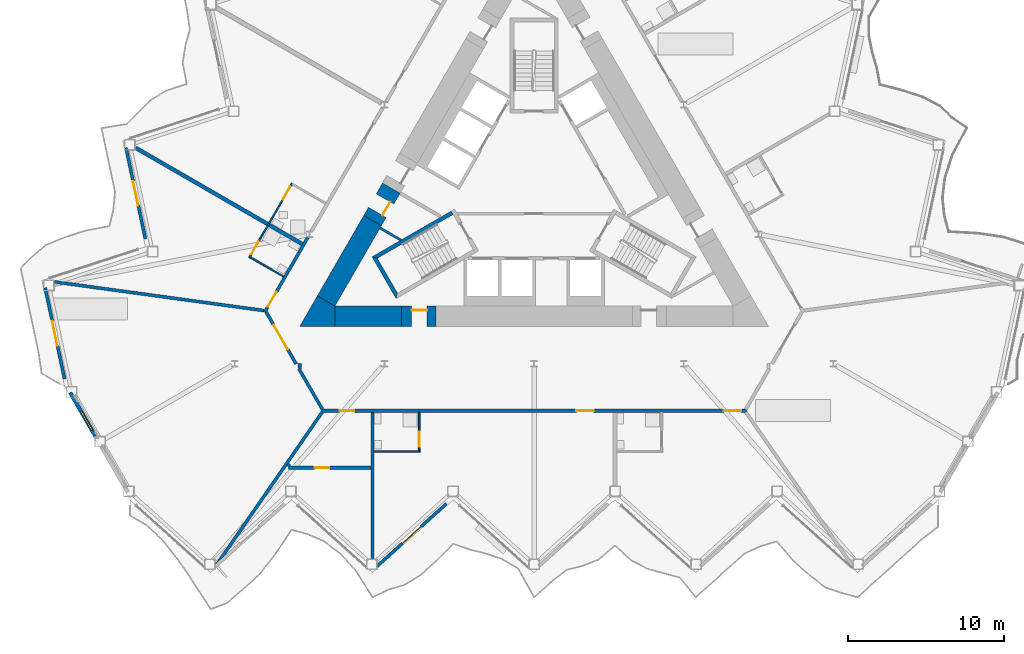
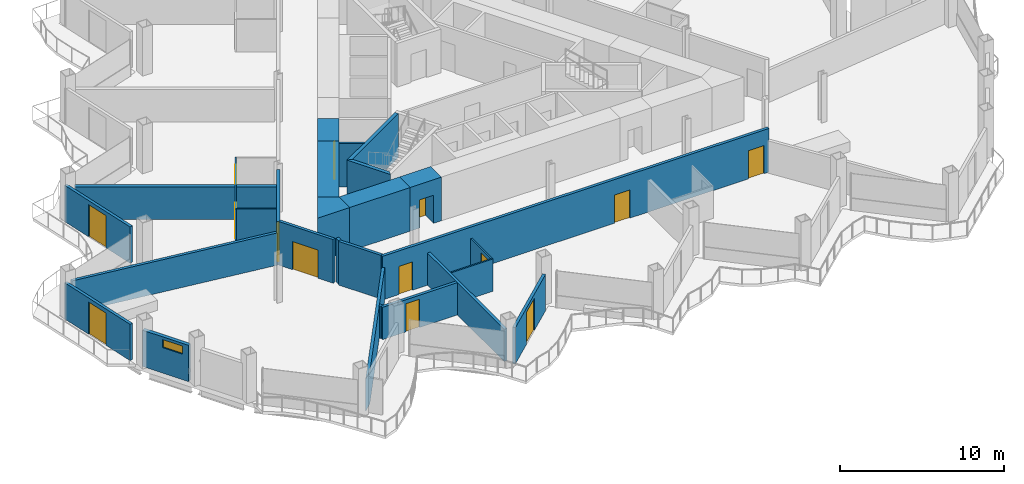
# One storey, part 11 of 23: 27 walls, 14 doors, 1 window, 15 openings.
"""IFC4 building model written with IfcOpenShell, lengths in metres."""

from ifc_helpers import new_model, si_unit, direction, frame, frame_2d, origin, place, context, subcontext, project, spatial, polyline, rectangle, outline, extrude, material, layer, layer_set, type_object, element, fill, save


model = new_model("IFC4")

# Units and contexts
model_context = context("Model", 3, precision=1e-05, world=origin(), true_north=direction((0.0, 1.0)))
body_context = subcontext(model_context, "Body", "Model", "MODEL_VIEW")
ifc_project = project(units=[si_unit("LENGTHUNIT", "METRE"), si_unit("AREAUNIT", "SQUARE_METRE"), si_unit("VOLUMEUNIT", "CUBIC_METRE"), si_unit("PLANEANGLEUNIT", "RADIAN"), si_unit("MASSUNIT", "GRAM", prefix="KILO")], contexts=[model_context])

# Site, building, storey
site_placement = place(None, origin())
site = spatial("IfcSite", under=ifc_project, at=site_placement, CompositionType="ELEMENT")
building_placement = place(site_placement, origin())
building = spatial("IfcBuilding", under=site, at=building_placement, Name="Cormorant Prow Tower", CompositionType="ELEMENT")
storey_placement = place(building_placement, frame((0.0, 0.0, 241.800048828125)))
storey = spatial("IfcBuildingStorey", under=building, at=storey_placement, Name="L53", CompositionType="ELEMENT", Elevation=241.800048828125)

# Walls
ifc_material_1 = material(Name="Gypsum board partition")
ifc_layer_1 = layer(ifc_material_1, 0.14990234375)
ifc_layer_set_1 = layer_set([ifc_layer_1], Name="Gypsum board partition")
wall_type_1 = type_object("IfcWallType", Name="Core partition 150", PredefinedType="PARTITIONING", material=ifc_layer_set_1)
wall_1_placement = place(storey_placement, frame((-9.862060546875, -2.361083984375, 0.0), z_axis=(0.0, 0.0, 1.0), x_axis=(0.865990094875, -0.500061151839, 0.0)))
element("IfcWall", 1, at=wall_1_placement, inside=storey, type_object=wall_type_1, Name="Service room partition", PredefinedType="PARTITIONING", context=body_context, shape_type="SweptSolid", body=[
    extrude(rectangle(XDim=1.559814453125, YDim=0.14990234375, at=frame_2d((0.77978515625, 0.0))), origin(), (0.0, 0.0, 1.0), 3.25),
])
ifc_material_2 = material(Name="Concrete 8000 psi", Category="concrete")
ifc_layer_2 = layer(ifc_material_2, 1.300048828125)
ifc_layer_set_2 = layer_set([ifc_layer_2], Name="Concrete 8000 psi")
wall_type_2 = type_object("IfcWallType", Name="Core shear wall 1300", PredefinedType="SHEAR", material=ifc_layer_set_2)
wall_2_placement = place(storey_placement, frame((-12.748291015625, -8.01025390625, 0.0), z_axis=(0.0, 0.0, 1.0), x_axis=(1.0, 0.0, 0.0)))
element("IfcWall", 2, at=wall_2_placement, inside=storey, type_object=wall_type_2, Name="Core wall", PredefinedType="SHEAR", context=body_context, shape_type="SweptSolid", body=[
    extrude(rectangle(XDim=4.260009765625, YDim=1.300048828125, at=frame_2d((2.1298828125, 0.0))), origin(), (0.0, 0.0, 1.0), 3.25),
])
wall_3_placement = place(storey_placement, frame((-10.337890625, -1.885009765625, 0.0), z_axis=(0.0, 0.0, 1.0), x_axis=(-0.499975944838, -0.866039291593, 0.0)))
element("IfcWall", 3, at=wall_3_placement, inside=storey, type_object=wall_type_2, Name="Core wall", PredefinedType="SHEAR", context=body_context, shape_type="SweptSolid", body=[
    extrude(rectangle(XDim=5.947021484375, YDim=1.300048828125, at=frame_2d((2.9736328125, 0.0))), origin(), (0.0, 0.0, 1.0), 3.25),
])
wall_4_placement = place(storey_placement, origin())
element("IfcWall", 4, at=wall_4_placement, inside=storey, type_object=wall_type_2, Name="Core wall corner", PredefinedType="SHEAR", context=body_context, shape_type="SweptSolid", body=[
    extrude(outline(polyline([(-13.874267578125, -6.710205078125), (-12.748291015625, -7.3603515625), (-12.748291015625, -8.660400390625), (-15.0, -8.660400390625), (-13.874267578125, -6.710205078125)])), origin(), (0.0, 0.0, 1.0), 3.25),
])

# Wall, opening, door
wall_5_placement = place(storey_placement, frame((-8.48828125, -8.01025390625, 0.0), z_axis=(0.0, 0.0, 1.0), x_axis=(1.0, 0.0, 0.0)))
wall_5 = element("IfcWall", 5, at=wall_5_placement, inside=storey, type_object=wall_type_2, Name="Core wall door panel", PredefinedType="SHEAR", context=body_context, shape_type="SweptSolid", body=[
    extrude(rectangle(XDim=2.2001953125, YDim=1.300048828125, at=frame_2d((1.10009765625, 0.0))), origin(), (0.0, 0.0, 1.0), 3.25),
])
opening_1_placement = place(wall_5_placement, frame((0.64990234375, 0.0, 0.0)))
opening_1 = element("IfcOpeningElement", 6, at=opening_1_placement, cuts=wall_5, Name="Opening L53-C14", PredefinedType="OPENING", context=body_context, shape_type="SweptSolid", body=[
    extrude(rectangle(XDim=1.0, YDim=2.10009765625, at=frame_2d((0.5, 1.050048828125))), frame((0.0, 0.659912109375, 0.0), z_axis=(0.0, -1.0, 0.0), x_axis=(1.0, 0.0, 0.0)), (0.0, 0.0, 1.0), 1.320068359375),
])
ifc_material_3 = material(Name="Painted steel", Category="steel")
door_type_1 = type_object("IfcDoorType", Name="Service door 1000x2100", OperationType="NOTDEFINED", PredefinedType="DOOR", material=ifc_material_3)
door_1_placement = place(opening_1_placement, origin())
door_1 = element("IfcDoor", 7, at=door_1_placement, inside=storey, type_object=door_type_1, Name="Core door, Pantry store", OperationType="SINGLE_SWING_LEFT", OverallHeight=2.10009765625, OverallWidth=1.0, PredefinedType="DOOR", context=body_context, shape_type="SweptSolid", body=[
    extrude(rectangle(XDim=1.0, YDim=2.10009765625, at=frame_2d((0.5, 1.050048828125))), frame((0.0, 0.40478515625, 0.0), z_axis=(0.0, -1.0, 0.0), x_axis=(1.0, 0.0, 0.0)), (0.0, 0.0, 1.0), 0.050048828125),
])
fill(opening_1, door_1)

wall_6_placement = place(storey_placement, frame((-9.13720703125, 0.194580078125, 0.0), z_axis=(0.0, 0.0, 1.0), x_axis=(-0.500009943768, -0.866019662671, 0.0)))
wall_6 = element("IfcWall", 8, at=wall_6_placement, inside=storey, type_object=wall_type_2, Name="Core wall door panel", PredefinedType="SHEAR", context=body_context, shape_type="SweptSolid", body=[
    extrude(rectangle(XDim=2.4013671875, YDim=1.300048828125, at=frame_2d((1.20068359375, 0.0))), origin(), (0.0, 0.0, 1.0), 3.25),
])
opening_2_placement = place(wall_6_placement, frame((0.800048828125, 0.0, 0.0)))
opening_2 = element("IfcOpeningElement", 9, at=opening_2_placement, cuts=wall_6, Name="Opening L53-C16", PredefinedType="OPENING", context=body_context, shape_type="SweptSolid", body=[
    extrude(rectangle(XDim=1.0, YDim=2.10009765625, at=frame_2d((0.5, 1.050048828125))), frame((0.0, 0.659912109375, 0.0), z_axis=(0.0, -1.0, 0.0), x_axis=(1.0, 0.0, 0.0)), (0.0, 0.0, 1.0), 1.320068359375),
])
door_2_placement = place(opening_2_placement, origin())
door_2 = element("IfcDoor", 10, at=door_2_placement, inside=storey, type_object=door_type_1, Name="Core door, Mechanical riser room", OperationType="SINGLE_SWING_RIGHT", OverallHeight=2.10009765625, OverallWidth=1.0, PredefinedType="DOOR", context=body_context, shape_type="SweptSolid", body=[
    extrude(rectangle(XDim=1.0, YDim=2.10009765625, at=frame_2d((0.5, 1.050048828125))), frame((0.0, 0.40478515625, 0.0), z_axis=(0.0, -1.0, 0.0), x_axis=(1.0, 0.0, 0.0)), (0.0, 0.0, 1.0), 0.050048828125),
])
fill(opening_2, door_2)

# Wall, openings, doors
ifc_material_4 = material(Name="Gypsum board corridor wall")
ifc_layer_3 = layer(ifc_material_4, 0.199951171875)
ifc_layer_set_3 = layer_set([ifc_layer_3], Name="Gypsum board corridor wall")
wall_type_3 = type_object("IfcWallType", Name="Corridor wall 200", PredefinedType="PARTITIONING", material=ifc_layer_set_3)
wall_7_placement = place(storey_placement, frame((-13.598876953125, -14.060302734375, 0.0), z_axis=(0.0, 0.0, 1.0), x_axis=(1.0, 0.0, 0.0)))
wall_7 = element("IfcWall", 11, at=wall_7_placement, inside=storey, type_object=wall_type_3, Name="Corridor wall", PredefinedType="PARTITIONING", context=body_context, shape_type="SweptSolid", body=[
    extrude(rectangle(XDim=27.19775390625, YDim=0.199951171875, at=frame_2d((13.598876953125, 0.0))), origin(), (0.0, 0.0, 1.0), 3.25),
])
opening_3_placement = place(wall_7_placement, frame((1.151611328125, 0.0, 0.0)))
opening_3 = element("IfcOpeningElement", 12, at=opening_3_placement, cuts=wall_7, Name="Opening L53-F01", PredefinedType="OPENING", context=body_context, shape_type="SweptSolid", body=[
    extrude(rectangle(XDim=0.949951171875, YDim=2.10009765625, at=frame_2d((0.47509765625, 1.050048828125))), frame((0.0, 0.10986328125, 0.0), z_axis=(0.0, -1.0, 0.0), x_axis=(1.0, 0.0, 0.0)), (0.0, 0.0, 1.0), 0.219970703125),
])
opening_4_placement = place(wall_7_placement, frame((16.311279296875, 0.0, 0.0)))
opening_4 = element("IfcOpeningElement", 13, at=opening_4_placement, cuts=wall_7, Name="Opening L53-F03", PredefinedType="OPENING", context=body_context, shape_type="SweptSolid", body=[
    extrude(rectangle(XDim=1.10009765625, YDim=2.10009765625, at=frame_2d((0.550048828125, 1.050048828125))), frame((0.0, 0.10986328125, 0.0), z_axis=(0.0, -1.0, 0.0), x_axis=(1.0, 0.0, 0.0)), (0.0, 0.0, 1.0), 0.219970703125),
])
opening_5_placement = place(wall_7_placement, frame((25.747314453125, 0.0, 0.0)))
opening_5 = element("IfcOpeningElement", 14, at=opening_5_placement, cuts=wall_7, Name="Opening L53-F05", PredefinedType="OPENING", context=body_context, shape_type="SweptSolid", body=[
    extrude(rectangle(XDim=1.10009765625, YDim=2.10009765625, at=frame_2d((0.550048828125, 1.050048828125))), frame((0.0, 0.10986328125, 0.0), z_axis=(0.0, -1.0, 0.0), x_axis=(1.0, 0.0, 0.0)), (0.0, 0.0, 1.0), 0.219970703125),
])
ifc_material_5 = material(Name="Timber door leaf", Category="wood")
door_type_2 = type_object("IfcDoorType", Name="Store door 950x2100", OperationType="NOTDEFINED", PredefinedType="DOOR", material=ifc_material_5)
door_3_placement = place(opening_3_placement, origin())
door_3 = element("IfcDoor", 15, at=door_3_placement, inside=storey, type_object=door_type_2, Name="Housekeeping room door", OperationType="SINGLE_SWING_LEFT", OverallHeight=2.10009765625, OverallWidth=0.949951171875, PredefinedType="DOOR", context=body_context, shape_type="SweptSolid", body=[
    extrude(rectangle(XDim=0.949951171875, YDim=2.10009765625, at=frame_2d((0.47509765625, 1.050048828125))), frame((0.0, 0.02490234375, 0.0), z_axis=(0.0, -1.0, 0.0), x_axis=(1.0, 0.0, 0.0)), (0.0, 0.0, 1.0), 0.050048828125),
])
fill(opening_3, door_3)
ifc_material_6 = material(Name="Timber door leaf", Category="wood")
door_type_3 = type_object("IfcDoorType", Name="Suite entrance door 1100x2100", OperationType="NOTDEFINED", PredefinedType="DOOR", material=ifc_material_6)
door_4_placement = place(opening_4_placement, origin())
door_4 = element("IfcDoor", 16, at=door_4_placement, inside=storey, type_object=door_type_3, Name="Executive suite bedroom door", OperationType="SINGLE_SWING_LEFT", OverallHeight=2.10009765625, OverallWidth=1.10009765625, PredefinedType="DOOR", context=body_context, shape_type="SweptSolid", body=[
    extrude(rectangle(XDim=1.10009765625, YDim=2.10009765625, at=frame_2d((0.550048828125, 1.050048828125))), frame((0.0, 0.02490234375, 0.0), z_axis=(0.0, -1.0, 0.0), x_axis=(1.0, 0.0, 0.0)), (0.0, 0.0, 1.0), 0.050048828125),
])
fill(opening_4, door_4)
door_5_placement = place(opening_5_placement, origin())
door_5 = element("IfcDoor", 17, at=door_5_placement, inside=storey, type_object=door_type_3, Name="Executive suite bedroom door", OperationType="SINGLE_SWING_RIGHT", OverallHeight=2.10009765625, OverallWidth=1.10009765625, PredefinedType="DOOR", context=body_context, shape_type="SweptSolid", body=[
    extrude(rectangle(XDim=1.10009765625, YDim=2.10009765625, at=frame_2d((0.550048828125, 1.050048828125))), frame((0.0, 0.02490234375, 0.0), z_axis=(0.0, -1.0, 0.0), x_axis=(1.0, 0.0, 0.0)), (0.0, 0.0, 1.0), 0.050048828125),
])
fill(opening_5, door_5)

# Wall, opening, door
wall_8_placement = place(storey_placement, frame((-17.243896484375, -7.746826171875, 0.0), z_axis=(0.0, 0.0, 1.0), x_axis=(0.500017753321, 0.866015153657, 0.0)))
wall_8 = element("IfcWall", 18, at=wall_8_placement, inside=storey, type_object=wall_type_3, Name="Corridor wall", PredefinedType="PARTITIONING", context=body_context, shape_type="SweptSolid", body=[
    extrude(rectangle(XDim=5.510498046875, YDim=0.199951171875, at=frame_2d((2.75537109375, 0.0))), origin(), (0.0, 0.0, 1.0), 3.25),
])
opening_6_placement = place(wall_8_placement, frame((0.400634765625, 0.0, 0.0)))
opening_6 = element("IfcOpeningElement", 19, at=opening_6_placement, cuts=wall_8, Name="Opening L53-F20", PredefinedType="OPENING", context=body_context, shape_type="SweptSolid", body=[
    extrude(rectangle(XDim=1.10009765625, YDim=2.10009765625, at=frame_2d((0.550048828125, 1.050048828125))), frame((0.0, 0.10986328125, 0.0), z_axis=(0.0, -1.0, 0.0), x_axis=(1.0, 0.0, 0.0)), (0.0, 0.0, 1.0), 0.219970703125),
])
door_6_placement = place(opening_6_placement, origin())
door_6 = element("IfcDoor", 20, at=door_6_placement, inside=storey, type_object=door_type_3, Name="Junior suite door", OperationType="SINGLE_SWING_LEFT", OverallHeight=2.10009765625, OverallWidth=1.10009765625, PredefinedType="DOOR", context=body_context, shape_type="SweptSolid", body=[
    extrude(rectangle(XDim=1.10009765625, YDim=2.10009765625, at=frame_2d((0.550048828125, 1.050048828125))), frame((0.0, 0.02490234375, 0.0), z_axis=(0.0, -1.0, 0.0), x_axis=(1.0, 0.0, 0.0)), (0.0, 0.0, 1.0), 0.050048828125),
])
fill(opening_6, door_6)

wall_9_placement = place(storey_placement, frame((-17.143798828125, -7.746826171875, 0.0), z_axis=(0.0, 0.0, 1.0), x_axis=(0.499961815444, -0.866047448526, 0.0)))
wall_9 = element("IfcWall", 21, at=wall_9_placement, inside=storey, type_object=wall_type_3, Name="Corridor wall", PredefinedType="PARTITIONING", context=body_context, shape_type="SweptSolid", body=[
    extrude(rectangle(XDim=3.825927734375, YDim=0.199951171875, at=frame_2d((1.9130859375, 0.0))), origin(), (0.0, 0.0, 1.0), 3.25),
])
opening_7_placement = place(wall_9_placement, frame((0.962158203125, 0.0, 0.0)))
opening_7 = element("IfcOpeningElement", 22, at=opening_7_placement, cuts=wall_9, Name="Opening L53-F22", PredefinedType="OPENING", context=body_context, shape_type="SweptSolid", body=[
    extrude(rectangle(XDim=1.800048828125, YDim=2.10009765625, at=frame_2d((0.89990234375, 1.050048828125))), frame((0.0, 0.10986328125, 0.0), z_axis=(0.0, -1.0, 0.0), x_axis=(1.0, 0.0, 0.0)), (0.0, 0.0, 1.0), 0.219970703125),
])
ifc_material_7 = material(Name="Timber door leaf", Category="wood")
door_type_4 = type_object("IfcDoorType", Name="Double door 1800x2100", OperationType="DOUBLE_DOOR_SINGLE_SWING", PredefinedType="DOOR", material=ifc_material_7)
door_7_placement = place(opening_7_placement, origin())
door_7 = element("IfcDoor", 23, at=door_7_placement, inside=storey, type_object=door_type_4, Name="Co-working space door", OperationType="DOUBLE_DOOR_SINGLE_SWING", OverallHeight=2.10009765625, OverallWidth=1.800048828125, PredefinedType="DOOR", context=body_context, shape_type="SweptSolid", body=[
    extrude(rectangle(XDim=1.800048828125, YDim=2.10009765625, at=frame_2d((0.89990234375, 1.050048828125))), frame((0.0, 0.02490234375, 0.0), z_axis=(0.0, -1.0, 0.0), x_axis=(1.0, 0.0, 0.0)), (0.0, 0.0, 1.0), 0.050048828125),
])
fill(opening_7, door_7)

# Walls
wall_10_placement = place(storey_placement, frame((-15.050048828125, -11.373779296875, 0.0), z_axis=(0.0, 0.0, 1.0), x_axis=(0.500048608389, -0.865997337899, 0.0)))
element("IfcWall", 24, at=wall_10_placement, inside=storey, type_object=wall_type_3, Name="Corridor wall", PredefinedType="PARTITIONING", context=body_context, shape_type="SweptSolid", body=[
    extrude(rectangle(XDim=3.002197265625, YDim=0.199951171875, at=frame_2d((1.5009765625, 0.0))), origin(), (0.0, 0.0, 1.0), 3.25),
])
wall_11_placement = place(storey_placement, frame((-15.0, -11.3603515625, 0.0), z_axis=(0.0, 0.0, 1.0), x_axis=(0.0, 1.0, 0.0)))
element("IfcWall", 25, at=wall_11_placement, inside=storey, type_object=wall_type_3, Name="Corridor wall", PredefinedType="PARTITIONING", context=body_context, shape_type="SweptSolid", body=[
    extrude(rectangle(XDim=0.31005859375, YDim=0.199951171875, at=frame_2d((0.155029296875, 0.0))), origin(), (0.0, 0.0, 1.0), 3.25),
])
ifc_material_8 = material(Name="Gypsum board demising wall")
ifc_layer_4 = layer(ifc_material_8, 0.199951171875)
ifc_layer_set_4 = layer_set([ifc_layer_4], Name="Gypsum board demising wall")
wall_type_4 = type_object("IfcWallType", Name="Demising wall 200", PredefinedType="PARTITIONING", material=ifc_layer_set_4)
wall_12_placement = place(storey_placement, frame((-30.703125, -5.809814453125, 0.0), z_axis=(0.0, 0.0, 1.0), x_axis=(0.99075075074, -0.135694325259, 0.0)))
element("IfcWall", 26, at=wall_12_placement, inside=storey, type_object=wall_type_4, Name="Demising wall", PredefinedType="PARTITIONING", context=body_context, shape_type="SweptSolid", body=[
    extrude(rectangle(XDim=13.535400390625, YDim=0.199951171875, at=frame_2d((6.767578125, 0.0))), origin(), (0.0, 0.0, 1.0), 2.404052734375),
])
wall_13_placement = place(storey_placement, origin())
element("IfcWall", 27, at=wall_13_placement, inside=storey, type_object=wall_type_4, Name="Demising wall", PredefinedType="PARTITIONING", context=body_context, shape_type="SweptSolid", body=[
    extrude(outline(polyline([(-13.473388671875, -14.199462890625), (-19.793701171875, -23.330810546875), (-20.439453125, -23.912109375), (-13.637939453125, -14.085693359375), (-13.473388671875, -14.199462890625)])), origin(), (0.0, 0.0, 1.0), 2.404052734375),
])
wall_14_placement = place(storey_placement, frame((-10.351318359375, -23.52685546875, 0.0), z_axis=(0.0, 0.0, 1.0), x_axis=(0.0, 1.0, 0.0)))
element("IfcWall", 28, at=wall_14_placement, inside=storey, type_object=wall_type_4, Name="Demising wall", PredefinedType="PARTITIONING", context=body_context, shape_type="SweptSolid", body=[
    extrude(rectangle(XDim=9.366455078125, YDim=0.199951171875, at=frame_2d((4.68310546875, 0.0))), origin(), (0.0, 0.0, 1.0), 2.404052734375),
])

# Wall, opening, door
wall_15_placement = place(storey_placement, frame((-15.706298828125, -17.710205078125, 0.0), z_axis=(0.0, 0.0, 1.0), x_axis=(1.0, 0.0, 0.0)))
wall_15 = element("IfcWall", 29, at=wall_15_placement, inside=storey, type_object=wall_type_4, Name="Demising wall", PredefinedType="PARTITIONING", context=body_context, shape_type="SweptSolid", body=[
    extrude(rectangle(XDim=5.2548828125, YDim=0.199951171875, at=frame_2d((2.62744140625, 0.0))), origin(), (0.0, 0.0, 1.0), 2.404052734375),
])
opening_8_placement = place(wall_15_placement, frame((1.65185546875, 0.0, 0.0)))
opening_8 = element("IfcOpeningElement", 30, at=opening_8_placement, cuts=wall_15, Name="Opening L53-F02", PredefinedType="OPENING", context=body_context, shape_type="SweptSolid", body=[
    extrude(rectangle(XDim=0.949951171875, YDim=2.10009765625, at=frame_2d((0.47509765625, 1.050048828125))), frame((0.0, 0.10986328125, 0.0), z_axis=(0.0, -1.0, 0.0), x_axis=(1.0, 0.0, 0.0)), (0.0, 0.0, 1.0), 0.219970703125),
])
door_8_placement = place(opening_8_placement, origin())
door_8 = element("IfcDoor", 31, at=door_8_placement, inside=storey, type_object=door_type_2, Name="Linen store door", OperationType="SINGLE_SWING_LEFT", OverallHeight=2.10009765625, OverallWidth=0.949951171875, PredefinedType="DOOR", context=body_context, shape_type="SweptSolid", body=[
    extrude(rectangle(XDim=0.949951171875, YDim=2.10009765625, at=frame_2d((0.47509765625, 1.050048828125))), frame((0.0, 0.02490234375, 0.0), z_axis=(0.0, -1.0, 0.0), x_axis=(1.0, 0.0, 0.0)), (0.0, 0.0, 1.0), 0.050048828125),
])
fill(opening_8, door_8)

# Wall
wall_16_placement = place(storey_placement, frame((-15.74658203125, -17.466796875, 0.0), z_axis=(0.0, 0.0, 1.0), x_axis=(0.498749683645, -0.866746071848, 0.0)))
element("IfcWall", 32, at=wall_16_placement, inside=storey, type_object=wall_type_4, Name="Demising wall", PredefinedType="PARTITIONING", context=body_context, shape_type="SweptSolid", body=[
    extrude(rectangle(XDim=0.18115234375, YDim=0.199951171875, at=frame_2d((0.090576171875, 0.0))), origin(), (0.0, 0.0, 1.0), 2.404052734375),
])

# Wall, openings, doors
ifc_material_9 = material(Name="Gypsum board partition")
ifc_layer_5 = layer(ifc_material_9, 0.10009765625)
ifc_layer_set_5 = layer_set([ifc_layer_5], Name="Gypsum board partition")
wall_type_5 = type_object("IfcWallType", Name="Internal partition 100", PredefinedType="PARTITIONING", material=ifc_layer_set_5)
wall_17_placement = place(storey_placement, frame((-18.230712890625, -4.256103515625, 0.0), z_axis=(0.0, 0.0, 1.0), x_axis=(0.500015767406, 0.866016300277, 0.0)))
wall_17 = element("IfcWall", 33, at=wall_17_placement, inside=storey, type_object=wall_type_5, Name="Internal partition", PredefinedType="PARTITIONING", context=body_context, shape_type="SweptSolid", body=[
    extrude(rectangle(XDim=5.499755859375, YDim=0.10009765625, at=frame_2d((2.75, 0.0))), origin(), (0.0, 0.0, 1.0), 2.404052734375),
])
opening_9_placement = place(wall_17_placement, frame((4.300048828125, 0.0, 0.0)))
opening_9 = element("IfcOpeningElement", 34, at=opening_9_placement, cuts=wall_17, Name="Opening L53-F19", PredefinedType="OPENING", context=body_context, shape_type="SweptSolid", body=[
    extrude(rectangle(XDim=0.949951171875, YDim=2.10009765625, at=frame_2d((0.47509765625, 1.050048828125))), frame((0.0, 0.06005859375, 0.0), z_axis=(0.0, -1.0, 0.0), x_axis=(1.0, 0.0, 0.0)), (0.0, 0.0, 1.0), 0.1201171875),
])
opening_10_placement = place(wall_17_placement, frame((0.25, 0.0, 0.0)))
opening_10 = element("IfcOpeningElement", 35, at=opening_10_placement, cuts=wall_17, Name="Opening L53-F21", PredefinedType="OPENING", context=body_context, shape_type="SweptSolid", body=[
    extrude(rectangle(XDim=0.949951171875, YDim=2.10009765625, at=frame_2d((0.47509765625, 1.050048828125))), frame((0.0, 0.06005859375, 0.0), z_axis=(0.0, -1.0, 0.0), x_axis=(1.0, 0.0, 0.0)), (0.0, 0.0, 1.0), 0.1201171875),
])
ifc_material_10 = material(Name="Timber door leaf", Category="wood")
door_type_5 = type_object("IfcDoorType", Name="Bathroom door 950x2100", OperationType="NOTDEFINED", PredefinedType="DOOR", material=ifc_material_10)
door_9_placement = place(opening_9_placement, origin())
door_9 = element("IfcDoor", 36, at=door_9_placement, inside=storey, type_object=door_type_5, Name="Junior suite door", OperationType="SINGLE_SWING_RIGHT", OverallHeight=2.10009765625, OverallWidth=0.949951171875, PredefinedType="DOOR", context=body_context, shape_type="SweptSolid", body=[
    extrude(rectangle(XDim=0.949951171875, YDim=2.10009765625, at=frame_2d((0.47509765625, 1.050048828125))), frame((0.0, 0.02490234375, 0.0), z_axis=(0.0, -1.0, 0.0), x_axis=(1.0, 0.0, 0.0)), (0.0, 0.0, 1.0), 0.050048828125),
])
fill(opening_9, door_9)
door_10_placement = place(opening_10_placement, origin())
door_10 = element("IfcDoor", 37, at=door_10_placement, inside=storey, type_object=door_type_5, Name="Junior suite door", OperationType="SINGLE_SWING_LEFT", OverallHeight=2.10009765625, OverallWidth=0.949951171875, PredefinedType="DOOR", context=body_context, shape_type="SweptSolid", body=[
    extrude(rectangle(XDim=0.949951171875, YDim=2.10009765625, at=frame_2d((0.47509765625, 1.050048828125))), frame((0.0, 0.02490234375, 0.0), z_axis=(0.0, -1.0, 0.0), x_axis=(1.0, 0.0, 0.0)), (0.0, 0.0, 1.0), 0.050048828125),
])
fill(opening_10, door_10)

# Walls
wall_18_placement = place(storey_placement, frame((-10.25146484375, -16.660400390625, 0.0), z_axis=(0.0, 0.0, 1.0), x_axis=(1.0, 0.0, 0.0)))
element("IfcWall", 38, at=wall_18_placement, inside=storey, type_object=wall_type_5, Name="Internal partition", PredefinedType="PARTITIONING", context=body_context, shape_type="SweptSolid", body=[
    extrude(rectangle(XDim=2.949951171875, YDim=0.10009765625, at=frame_2d((1.47509765625, 0.0))), origin(), (0.0, 0.0, 1.0), 2.404052734375),
])
wall_19_placement = place(storey_placement, frame((-18.16259765625, -4.23779296875, 0.0), z_axis=(0.0, 0.0, 1.0), x_axis=(0.866014668023, -0.500018594424, 0.0)))
element("IfcWall", 39, at=wall_19_placement, inside=storey, type_object=wall_type_5, Name="Internal partition", PredefinedType="PARTITIONING", context=body_context, shape_type="SweptSolid", body=[
    extrude(rectangle(XDim=2.4501953125, YDim=0.10009765625, at=frame_2d((1.22509765625, 0.0))), origin(), (0.0, 0.0, 1.0), 2.404052734375),
])

# Wall, opening, door
wall_20_placement = place(storey_placement, frame((-7.351318359375, -16.6103515625, 0.0), z_axis=(0.0, 0.0, 1.0), x_axis=(0.0, 1.0, 0.0)))
wall_20 = element("IfcWall", 40, at=wall_20_placement, inside=storey, type_object=wall_type_5, Name="Internal partition", PredefinedType="PARTITIONING", context=body_context, shape_type="SweptSolid", body=[
    extrude(rectangle(XDim=2.449951171875, YDim=0.10009765625, at=frame_2d((1.22509765625, 0.0))), origin(), (0.0, 0.0, 1.0), 2.404052734375),
])
opening_11_placement = place(wall_20_placement, frame((0.25, 0.0, 0.0)))
opening_11 = element("IfcOpeningElement", 41, at=opening_11_placement, cuts=wall_20, Name="Opening L53-F04", PredefinedType="OPENING", context=body_context, shape_type="SweptSolid", body=[
    extrude(rectangle(XDim=0.949951171875, YDim=2.10009765625, at=frame_2d((0.47509765625, 1.050048828125))), frame((0.0, 0.06005859375, 0.0), z_axis=(0.0, -1.0, 0.0), x_axis=(1.0, 0.0, 0.0)), (0.0, 0.0, 1.0), 0.1201171875),
])
door_11_placement = place(opening_11_placement, origin())
door_11 = element("IfcDoor", 42, at=door_11_placement, inside=storey, type_object=door_type_5, Name="Executive suite bedroom door", OperationType="SINGLE_SWING_LEFT", OverallHeight=2.10009765625, OverallWidth=0.949951171875, PredefinedType="DOOR", context=body_context, shape_type="SweptSolid", body=[
    extrude(rectangle(XDim=0.949951171875, YDim=2.10009765625, at=frame_2d((0.47509765625, 1.050048828125))), frame((0.0, 0.02490234375, 0.0), z_axis=(0.0, -1.0, 0.0), x_axis=(1.0, 0.0, 0.0)), (0.0, 0.0, 1.0), 0.050048828125),
])
fill(opening_11, door_11)

# Walls
ifc_material_11 = material(Name="Concrete 8000 psi", Category="concrete")
ifc_layer_6 = layer(ifc_material_11, 0.25)
ifc_layer_set_6 = layer_set([ifc_layer_6], Name="Concrete 8000 psi")
wall_type_6 = type_object("IfcWallType", Name="Stair wall 250", PredefinedType="SHEAR", material=ifc_layer_set_6)
wall_21_placement = place(storey_placement, origin())
element("IfcWall", 43, at=wall_21_placement, inside=storey, type_object=wall_type_6, Name="Stair ST1 enclosure wall (flank)", PredefinedType="SHEAR", context=body_context, shape_type="SweptSolid", body=[
    extrude(outline(polyline([(-5.30712890625, -1.28125), (-10.37353515625, -4.206298828125), (-10.031982421875, -4.2978515625), (-5.18212890625, -1.497802734375), (-5.30712890625, -1.28125)])), origin(), (0.0, 0.0, 1.0), 3.25),
])
wall_22_placement = place(storey_placement, origin())
element("IfcWall", 44, at=wall_22_placement, inside=storey, type_object=wall_type_6, Name="Stair ST1 enclosure wall (end)", PredefinedType="SHEAR", context=body_context, shape_type="SweptSolid", body=[
    extrude(outline(polyline([(-10.37353515625, -4.206298828125), (-8.82958984375, -6.880615234375), (-8.738037109375, -6.5390625), (-10.031982421875, -4.2978515625), (-10.37353515625, -4.206298828125)])), origin(), (0.0, 0.0, 1.0), 3.25),
])
ifc_material_12 = material(Name="Acoustic gypsum party wall")
ifc_layer_7 = layer(ifc_material_12, 0.25)
ifc_layer_set_7 = layer_set([ifc_layer_7], Name="Acoustic gypsum party wall")
wall_type_7 = type_object("IfcWallType", Name="Suite party wall 250", PredefinedType="PARTITIONING", material=ifc_layer_set_7)
wall_23_placement = place(storey_placement, frame((-25.514892578125, 2.7783203125, 0.0), z_axis=(0.0, 0.0, 1.0), x_axis=(0.866019666699, -0.500009936792, 0.0)))
element("IfcWall", 45, at=wall_23_placement, inside=storey, type_object=wall_type_7, Name="Suite party wall", PredefinedType="PARTITIONING", context=body_context, shape_type="SweptSolid", body=[
    extrude(rectangle(XDim=12.325439453125, YDim=0.25, at=frame_2d((6.16259765625, 0.0))), origin(), (0.0, 0.0, 1.0), 2.404052734375),
])

# Wall, opening, window
ifc_material_13 = material(Name="Terracotta", Category="masonry")
ifc_layer_8 = layer(ifc_material_13, 0.25)
ifc_layer_set_8 = layer_set([ifc_layer_8], Name="Terracotta")
wall_type_8 = type_object("IfcWallType", Name="Terracotta bay wall 250", PredefinedType="SOLIDWALL", material=ifc_layer_set_8)
wall_24_placement = place(storey_placement, frame((-29.691650390625, -12.90380859375, 0.0), z_axis=(0.0, 0.0, 1.0), x_axis=(0.499987708133, -0.866032500381, 0.0)))
wall_24 = element("IfcWall", 46, at=wall_24_placement, inside=storey, type_object=wall_type_8, Name="Terracotta bay wall WSW00", PredefinedType="SOLIDWALL", context=body_context, shape_type="SweptSolid", body=[
    extrude(rectangle(XDim=3.21337890625, YDim=0.25, at=frame_2d((1.606689453125, 0.0))), origin(), (0.0, 0.0, 1.0), 2.700927734375),
])
opening_12_placement = place(wall_24_placement, frame((1.39990234375, 0.0, 1.89990234375)))
opening_12 = element("IfcOpeningElement", 47, at=opening_12_placement, cuts=wall_24, Name="Opening WN6", PredefinedType="OPENING", context=body_context, shape_type="SweptSolid", body=[
    extrude(rectangle(XDim=1.39990234375, YDim=0.60009765625, at=frame_2d((0.699951171875, 0.300048828125))), frame((0.0, 0.135009765625, 0.0), z_axis=(0.0, -1.0, 0.0), x_axis=(1.0, 0.0, 0.0)), (0.0, 0.0, 1.0), 0.27001953125),
])
ifc_material_14 = material(Name="Aluminium 6063-T6", Category="aluminium")
window_type = type_object("IfcWindowType", Name="Corner bay window 1400x600", PartitioningType="SINGLE_PANEL", PredefinedType="WINDOW", material=ifc_material_14)
window_placement = place(opening_12_placement, origin())
window = element("IfcWindow", 48, at=window_placement, inside=storey, type_object=window_type, Name="Corner bay window WSW00", OverallHeight=0.60009765625, OverallWidth=1.39990234375, PartitioningType="SINGLE_PANEL", PredefinedType="WINDOW", context=body_context, shape_type="SweptSolid", body=[
    extrude(rectangle(XDim=1.39990234375, YDim=0.60009765625, at=frame_2d((0.699951171875, 0.300048828125))), frame((0.0, 0.030029296875, 0.0), z_axis=(0.0, -1.0, 0.0), x_axis=(1.0, 0.0, 0.0)), (0.0, 0.0, 1.0), 0.06005859375),
])
fill(opening_12, window)

# Wall, opening, door
ifc_material_15 = material(Name="Terracotta", Category="masonry")
ifc_layer_9 = layer(ifc_material_15, 0.199951171875)
ifc_layer_set_9 = layer_set([ifc_layer_9], Name="Terracotta")
wall_type_9 = type_object("IfcWallType", Name="Terracotta jamb wall 200", PredefinedType="SOLIDWALL", material=ifc_layer_set_9)
wall_25_placement = place(storey_placement, frame((-10.0458984375, -24.0087890625, 0.0), z_axis=(0.0, 0.0, 1.0), x_axis=(0.743133280699, 0.669143427912, 0.0)))
wall_25 = element("IfcWall", 49, at=wall_25_placement, inside=storey, type_object=wall_type_9, Name="Terracotta jamb wall S03", PredefinedType="SOLIDWALL", context=body_context, shape_type="SweptSolid", body=[
    extrude(rectangle(XDim=5.96240234375, YDim=0.199951171875, at=frame_2d((2.981201171875, 0.0))), origin(), (0.0, 0.0, 1.0), 2.700927734375),
])
opening_13_placement = place(wall_25_placement, frame((2.181396484375, 0.0, 0.0)))
opening_13 = element("IfcOpeningElement", 50, at=opening_13_placement, cuts=wall_25, Name="Opening ED53.02", PredefinedType="OPENING", context=body_context, shape_type="SweptSolid", body=[
    extrude(rectangle(XDim=1.60009765625, YDim=2.39990234375, at=frame_2d((0.800048828125, 1.199951171875))), frame((0.0, 0.10986328125, 0.0), z_axis=(0.0, -1.0, 0.0), x_axis=(1.0, 0.0, 0.0)), (0.0, 0.0, 1.0), 0.219970703125),
])
ifc_material_16 = material(Name="Aluminium 6063-T6", Category="aluminium")
door_type_6 = type_object("IfcDoorType", Name="Balcony door 1600x2400", OperationType="DOUBLE_DOOR_SINGLE_SWING", PredefinedType="DOOR", material=ifc_material_16)
door_12_placement = place(opening_13_placement, origin())
door_12 = element("IfcDoor", 51, at=door_12_placement, inside=storey, type_object=door_type_6, Name="Balcony door S03 ED53.02", OperationType="DOUBLE_DOOR_SINGLE_SWING", OverallHeight=2.39990234375, OverallWidth=1.60009765625, PredefinedType="DOOR", context=body_context, shape_type="SweptSolid", body=[
    extrude(rectangle(XDim=1.60009765625, YDim=2.39990234375, at=frame_2d((0.800048828125, 1.199951171875))), frame((0.0, 0.02490234375, 0.0), z_axis=(0.0, -1.0, 0.0), x_axis=(1.0, 0.0, 0.0)), (0.0, 0.0, 1.0), 0.050048828125),
])
fill(opening_13, door_12)

wall_26_placement = place(storey_placement, frame((-26.12060546875, 2.775390625, 0.0), z_axis=(0.0, 0.0, 1.0), x_axis=(0.207881772083, -0.978153959679, 0.0)))
wall_26 = element("IfcWall", 52, at=wall_26_placement, inside=storey, type_object=wall_type_9, Name="Terracotta jamb wall WNW07", PredefinedType="SOLIDWALL", context=body_context, shape_type="SweptSolid", body=[
    extrude(rectangle(XDim=5.962646484375, YDim=0.199951171875, at=frame_2d((2.9814453125, 0.0))), origin(), (0.0, 0.0, 1.0), 2.700927734375),
])
opening_14_placement = place(wall_26_placement, frame((2.181396484375, 0.0, 0.0)))
opening_14 = element("IfcOpeningElement", 53, at=opening_14_placement, cuts=wall_26, Name="Opening ED53.14", PredefinedType="OPENING", context=body_context, shape_type="SweptSolid", body=[
    extrude(rectangle(XDim=1.60009765625, YDim=2.39990234375, at=frame_2d((0.800048828125, 1.199951171875))), frame((0.0, 0.10986328125, 0.0), z_axis=(0.0, -1.0, 0.0), x_axis=(1.0, 0.0, 0.0)), (0.0, 0.0, 1.0), 0.219970703125),
])
door_13_placement = place(opening_14_placement, origin())
door_13 = element("IfcDoor", 54, at=door_13_placement, inside=storey, type_object=door_type_6, Name="Balcony door WNW07 ED53.14", OperationType="DOUBLE_DOOR_SINGLE_SWING", OverallHeight=2.39990234375, OverallWidth=1.60009765625, PredefinedType="DOOR", context=body_context, shape_type="SweptSolid", body=[
    extrude(rectangle(XDim=1.60009765625, YDim=2.39990234375, at=frame_2d((0.800048828125, 1.199951171875))), frame((0.0, 0.02490234375, 0.0), z_axis=(0.0, -1.0, 0.0), x_axis=(1.0, 0.0, 0.0)), (0.0, 0.0, 1.0), 0.050048828125),
])
fill(opening_14, door_13)

wall_27_placement = place(storey_placement, frame((-31.29638671875, -6.189208984375, 0.0), z_axis=(0.0, 0.0, 1.0), x_axis=(0.207920947907, -0.978145633033, 0.0)))
wall_27 = element("IfcWall", 55, at=wall_27_placement, inside=storey, type_object=wall_type_9, Name="Terracotta jamb wall WNW09", PredefinedType="SOLIDWALL", context=body_context, shape_type="SweptSolid", body=[
    extrude(rectangle(XDim=5.962646484375, YDim=0.199951171875, at=frame_2d((2.9814453125, 0.0))), origin(), (0.0, 0.0, 1.0), 2.700927734375),
])
opening_15_placement = place(wall_27_placement, frame((2.181396484375, 0.0, 0.0)))
opening_15 = element("IfcOpeningElement", 56, at=opening_15_placement, cuts=wall_27, Name="Opening ED53.15", PredefinedType="OPENING", context=body_context, shape_type="SweptSolid", body=[
    extrude(rectangle(XDim=1.60009765625, YDim=2.39990234375, at=frame_2d((0.800048828125, 1.199951171875))), frame((0.0, 0.10986328125, 0.0), z_axis=(0.0, -1.0, 0.0), x_axis=(1.0, 0.0, 0.0)), (0.0, 0.0, 1.0), 0.219970703125),
])
door_14_placement = place(opening_15_placement, origin())
door_14 = element("IfcDoor", 57, at=door_14_placement, inside=storey, type_object=door_type_6, Name="Balcony door WNW09 ED53.15", OperationType="DOUBLE_DOOR_SINGLE_SWING", OverallHeight=2.39990234375, OverallWidth=1.60009765625, PredefinedType="DOOR", context=body_context, shape_type="SweptSolid", body=[
    extrude(rectangle(XDim=1.60009765625, YDim=2.39990234375, at=frame_2d((0.800048828125, 1.199951171875))), frame((0.0, 0.02490234375, 0.0), z_axis=(0.0, -1.0, 0.0), x_axis=(1.0, 0.0, 0.0)), (0.0, 0.0, 1.0), 0.050048828125),
])
fill(opening_15, door_14)

save(model, "model.ifc")
